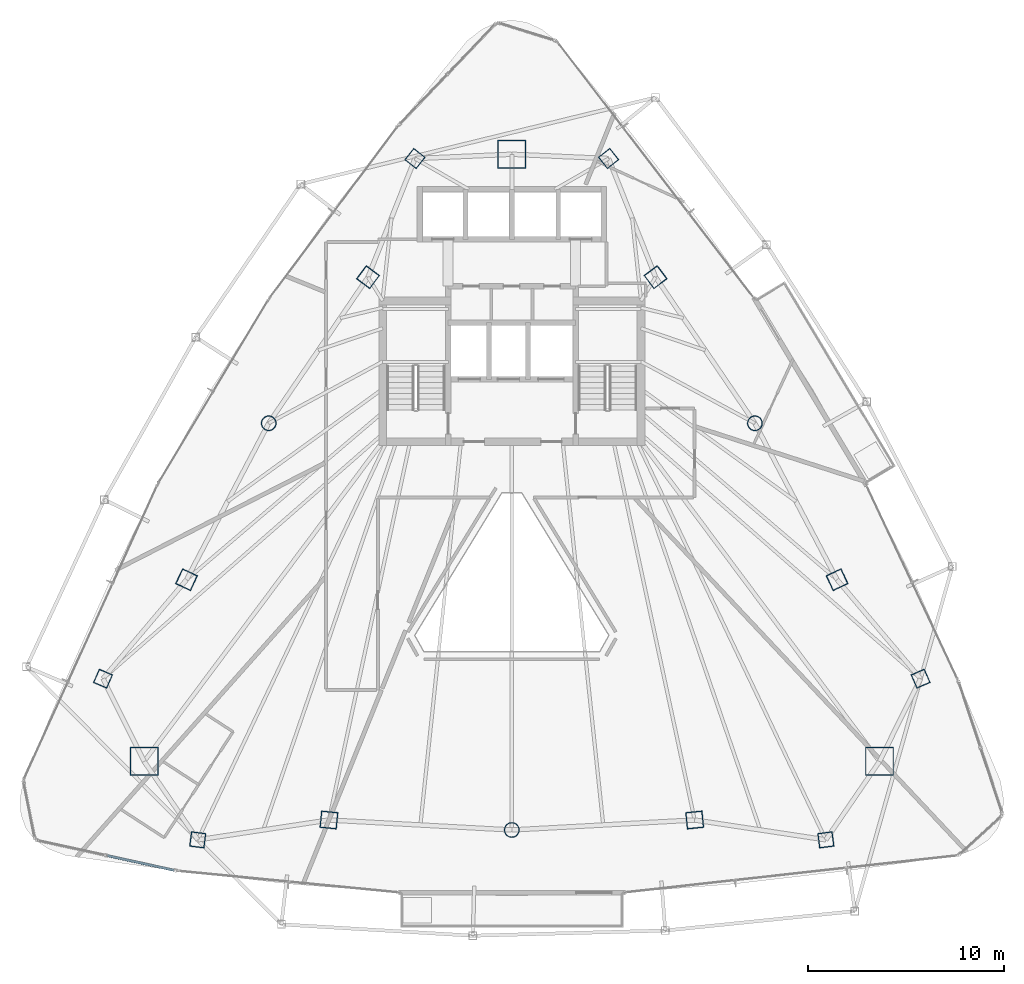
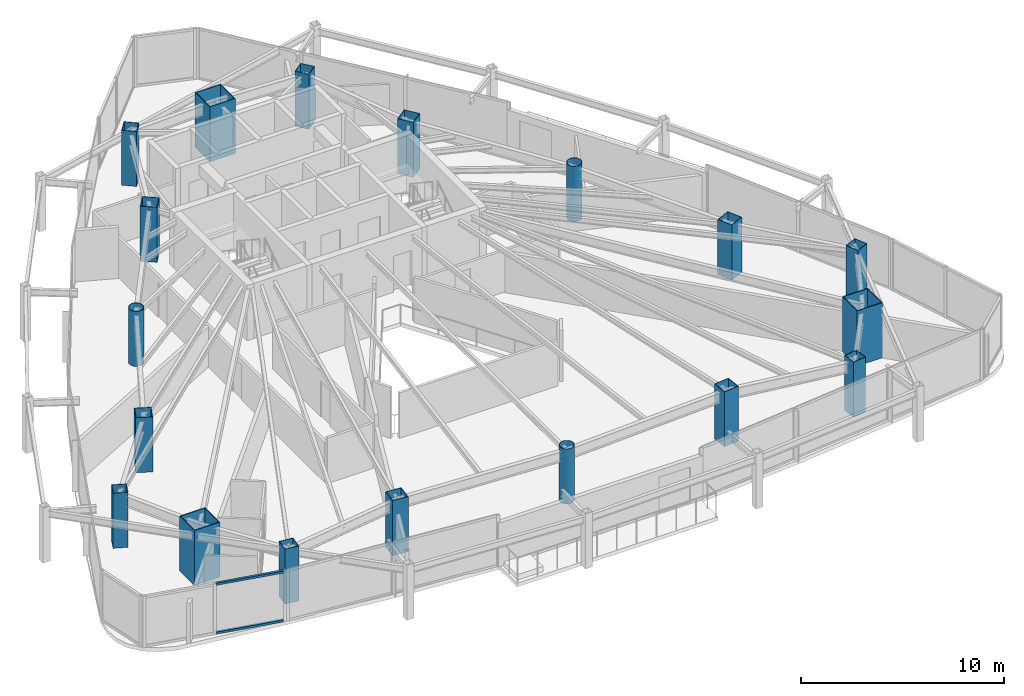
# One storey, part 1 of 31: 18 columns, 2 members, 1 element without a shape of its own.
"""IFC4 building model written with IfcOpenShell, lengths in metres."""

from ifc_helpers import new_model, si_unit, direction, frame, origin, origin_2d, place, context, subcontext, project, spatial, hollow_rectangle, hollow_circle, extrude, material, layer, layer_set, material_profile, profile_set, type_object, element, aggregate, save


model = new_model("IFC4")

# Units and contexts
model_context = context("Model", 3, precision=1e-05, world=origin(), true_north=direction((0.0, 1.0)))
body_context = subcontext(model_context, "Body", "Model", "MODEL_VIEW")
ifc_project = project(units=[si_unit("LENGTHUNIT", "METRE"), si_unit("AREAUNIT", "SQUARE_METRE"), si_unit("VOLUMEUNIT", "CUBIC_METRE"), si_unit("PLANEANGLEUNIT", "RADIAN"), si_unit("MASSUNIT", "GRAM", prefix="KILO")], contexts=[model_context])

# Site, building, storey
site_placement = place(None, origin())
site = spatial("IfcSite", under=ifc_project, at=site_placement, CompositionType="ELEMENT")
building_placement = place(site_placement, origin())
building = spatial("IfcBuilding", under=site, at=building_placement, Name="Orvanel Arch Residences", CompositionType="ELEMENT")
storey_placement = place(building_placement, frame((0.0, 0.0, 153.949951171875)))
storey = spatial("IfcBuildingStorey", under=building, at=storey_placement, Name="L43", CompositionType="ELEMENT", Elevation=153.949951171875)

# Columns
ifc_material_1 = material(Name="Structural steel AS/NZS 1163 C450L0 (Grade 450)", Category="steel")
ifc_material_profile_1 = material_profile(ifc_material_1, hollow_circle(Radius=0.381103515625, WallThickness=0.02197265625, at=origin_2d()), Name="CHS762x22")
ifc_profile_set_1 = profile_set([ifc_material_profile_1], Name="Structural steel AS/NZS 1163 C450L0 (Grade 450)")
column_type_1 = type_object("IfcColumnType", Name="CC-762", PredefinedType="COLUMN", material=ifc_profile_set_1)
for number, where, z_axis, x_axis, name in (
    (1, (20.569091796875, 27.64111328125, 0.0), (0.0, 0.0, 1.0), (1.0, 0.0, 0.0), "L43 High-Rise Tube Column 02"),
    (2, (33.0, 6.843994140625, 0.0), (0.0, 0.0, 1.0), (1.0, 0.0, 0.0), "L43 High-Rise Tube Column 05"),
    (3, (45.430908203125, 27.64111328125, 0.0), (0.0, 0.0, 1.0), (1.0, 0.0, 0.0), "L43 High-Rise Tube Column 08"),
):
    element("IfcColumn", number, at=place(storey_placement, frame(where, z_axis=z_axis, x_axis=x_axis)), inside=storey, type_object=column_type_1, Name=name, PredefinedType="COLUMN", context=body_context, shape_type="SweptSolid", body=[
        extrude(hollow_circle(Radius=0.381103515625, WallThickness=0.02197265625, at=origin_2d()), origin(), (0.0, 0.0, 1.0), 3.300048828125),
    ])
ifc_material_2 = material(Name="Structural steel AS/NZS 3678 Grade 450", Category="steel")
ifc_material_profile_2 = material_profile(ifc_material_2, hollow_rectangle(XDim=1.449951171875, YDim=1.449951171875, WallThickness=0.044921875, at=origin_2d()), Name="BOX1450x1450x45")
ifc_profile_set_2 = profile_set([ifc_material_profile_2], Name="Structural steel AS/NZS 3678 Grade 450")
column_type_2 = type_object("IfcColumnType", Name="MC-1450", PredefinedType="COLUMN", material=ifc_profile_set_2)
for number, where, z_axis, x_axis, name in (
    (4, (33.0, 41.39794921875, 0.0), (0.0, 0.0, 1.0), (1.0, 0.0, 0.0), "L43 Corner Mega-Column 1"),
    (5, (14.198974609375, 10.35107421875, 0.0), (0.0, 0.0, 1.0), (1.0, 0.0, 0.0), "L43 Corner Mega-Column 2"),
    (6, (51.801025390625, 10.35107421875, 0.0), (0.0, 0.0, 1.0), (1.0, 0.0, 0.0), "L43 Corner Mega-Column 3"),
):
    element("IfcColumn", number, at=place(storey_placement, frame(where, z_axis=z_axis, x_axis=x_axis)), inside=storey, type_object=column_type_2, Name=name, PredefinedType="COLUMN", context=body_context, shape_type="SweptSolid", body=[
        extrude(hollow_rectangle(XDim=1.449951171875, YDim=1.449951171875, WallThickness=0.044921875, at=origin_2d()), origin(), (0.0, 0.0, 1.0), 3.300048828125),
    ])
ifc_material_3 = material(Name="Structural steel AS/NZS 3678 Grade 350", Category="steel")
ifc_material_profile_3 = material_profile(ifc_material_3, hollow_rectangle(XDim=0.75, YDim=0.75, WallThickness=0.02490234375, at=origin_2d()), Name="BOX750x750x25")
ifc_profile_set_3 = profile_set([ifc_material_profile_3], Name="Structural steel AS/NZS 3678 Grade 350")
column_type_3 = type_object("IfcColumnType", Name="TC-750", PredefinedType="COLUMN", material=ifc_profile_set_3)
for number, where, z_axis, x_axis, name in (
    (7, (28.050048828125, 41.177978515625, 0.0), (0.0, 0.0, 1.0), (0.623879596709, 0.781520472419, 0.0), "L43 Mid-Rise Buttress Tube Column 01"),
    (8, (12.094970703125, 14.580078125, 0.0), (0.0, 0.0, 1.0), (0.397147890635, 0.917754625684, 0.0), "L43 Mid-Rise Buttress Tube Column 02"),
    (9, (16.94091796875, 6.339111328125, 0.0), (0.0, 0.0, 1.0), (-0.99189444259, 0.127064608601, 0.0), "L43 Mid-Rise Buttress Tube Column 03"),
    (10, (49.05908203125, 6.339111328125, 0.0), (0.0, 0.0, 1.0), (0.99189444259, 0.127064608601, 0.0), "L43 Mid-Rise Buttress Tube Column 04"),
    (11, (53.905029296875, 14.580078125, 0.0), (0.0, 0.0, 1.0), (-0.397147890635, 0.917754625684, 0.0), "L43 Mid-Rise Buttress Tube Column 05"),
    (12, (37.949951171875, 41.177978515625, 0.0), (0.0, 0.0, 1.0), (-0.623879596709, 0.781520472419, 0.0), "L43 Mid-Rise Buttress Tube Column 06"),
):
    element("IfcColumn", number, at=place(storey_placement, frame(where, z_axis=z_axis, x_axis=x_axis)), inside=storey, type_object=column_type_3, Name=name, PredefinedType="COLUMN", context=body_context, shape_type="SweptSolid", body=[
        extrude(hollow_rectangle(XDim=0.75, YDim=0.75, WallThickness=0.02490234375, at=origin_2d()), origin(), (0.0, 0.0, 1.0), 3.300048828125),
    ])
ifc_material_profile_4 = material_profile(ifc_material_3, hollow_rectangle(XDim=0.85009765625, YDim=0.85009765625, WallThickness=0.028076171875, at=origin_2d()), Name="BOX850x850x28")
ifc_profile_set_4 = profile_set([ifc_material_profile_4], Name="Structural steel AS/NZS 3678 Grade 350")
column_type_4 = type_object("IfcColumnType", Name="TC-850", PredefinedType="COLUMN", material=ifc_profile_set_4)
for number, where, z_axis, x_axis, name in (
    (13, (25.64794921875, 35.113037109375, 0.0), (0.0, 0.0, 1.0), (0.600420225326, 0.799684658487, 0.0), "L43 High-Rise Tube Column 01"),
    (14, (16.366943359375, 19.64208984375, 0.0), (0.0, 0.0, 1.0), (0.422618261741, 0.906307787037, 0.0), "L43 High-Rise Tube Column 03"),
    (15, (23.64892578125, 7.35498046875, 0.0), (0.0, 0.0, 1.0), (-0.994880708829, 0.101056297183, 0.0), "L43 High-Rise Tube Column 04"),
    (16, (42.35107421875, 7.35498046875, 0.0), (0.0, 0.0, 1.0), (0.994880708829, 0.101056297183, 0.0), "L43 High-Rise Tube Column 06"),
    (17, (49.633056640625, 19.64208984375, 0.0), (0.0, 0.0, 1.0), (-0.422618261741, 0.906307787037, 0.0), "L43 High-Rise Tube Column 07"),
    (18, (40.35205078125, 35.113037109375, 0.0), (0.0, 0.0, 1.0), (-0.600420225326, 0.799684658487, 0.0), "L43 High-Rise Tube Column 09"),
):
    element("IfcColumn", number, at=place(storey_placement, frame(where, z_axis=z_axis, x_axis=x_axis)), inside=storey, type_object=column_type_4, Name=name, PredefinedType="COLUMN", context=body_context, shape_type="SweptSolid", body=[
        extrude(hollow_rectangle(XDim=0.85009765625, YDim=0.85009765625, WallThickness=0.028076171875, at=origin_2d()), origin(), (0.0, 0.0, 1.0), 3.300048828125),
    ])

# Curtain wall, members
ifc_material_4 = material(Name="Bronze-anodised aluminium AA6063-T6", Category="aluminium")
ifc_layer = layer(ifc_material_4, 0.18994140625)
ifc_layer_set = layer_set([ifc_layer], Name="Bronze-anodised aluminium AA6063-T6")
curtain_wall_type = type_object("IfcCurtainWallType", Name="CW5-CRN-SYS", PredefinedType="NOTDEFINED", material=ifc_layer_set)
curtain_wall_placement = place(storey_placement, origin())
curtain_wall = element("IfcCurtainWall", 19, at=curtain_wall_placement, inside=storey, type_object=curtain_wall_type, Name="L43 CW5-CRN-SYS Unitised Curtain Wall", PredefinedType="NOTDEFINED")
ifc_material_profile_5 = material_profile(ifc_material_4, hollow_rectangle(XDim=0.1298828125, YDim=0.1298828125, WallThickness=0.00439453125, at=origin_2d()), Name="ALU130x130x4.5")
ifc_profile_set_5 = profile_set([ifc_material_profile_5], Name="Bronze-anodised aluminium AA6063-T6")
member_type = type_object("IfcMemberType", Name="TRN-130x130", PredefinedType="USERDEFINED", material=ifc_profile_set_5)
member_1_placement = place(storey_placement, frame((12.326171875, 5.531005859375, 0.06494140625), z_axis=(0.976992072663, -0.213275619689, 0.0), x_axis=(0.213275619689, 0.976992072663, 0.0)))
member_1 = element("IfcMember", 20, at=member_1_placement, type_object=member_type, Name="CW-S5 transom 2.1", ObjectType="TRANSOM", PredefinedType="USERDEFINED", context=body_context, shape_type="SweptSolid", body=[
    extrude(hollow_rectangle(XDim=0.1298828125, YDim=0.1298828125, WallThickness=0.00439453125, at=origin_2d()), origin(), (0.0, 0.0, 1.0), 3.47412109375),
])
member_2_placement = place(storey_placement, frame((12.326171875, 5.531005859375, 2.9951171875), z_axis=(0.976992072663, -0.213275619689, 0.0), x_axis=(0.213275619689, 0.976992072663, 0.0)))
member_2 = element("IfcMember", 21, at=member_2_placement, type_object=member_type, Name="CW-S5 transom 2.2", ObjectType="TRANSOM", PredefinedType="USERDEFINED", context=body_context, shape_type="SweptSolid", body=[
    extrude(hollow_rectangle(XDim=0.1298828125, YDim=0.1298828125, WallThickness=0.00439453125, at=origin_2d()), origin(), (0.0, 0.0, 1.0), 3.47412109375),
])
aggregate(curtain_wall, [member_1, member_2])

save(model, "model.ifc")
